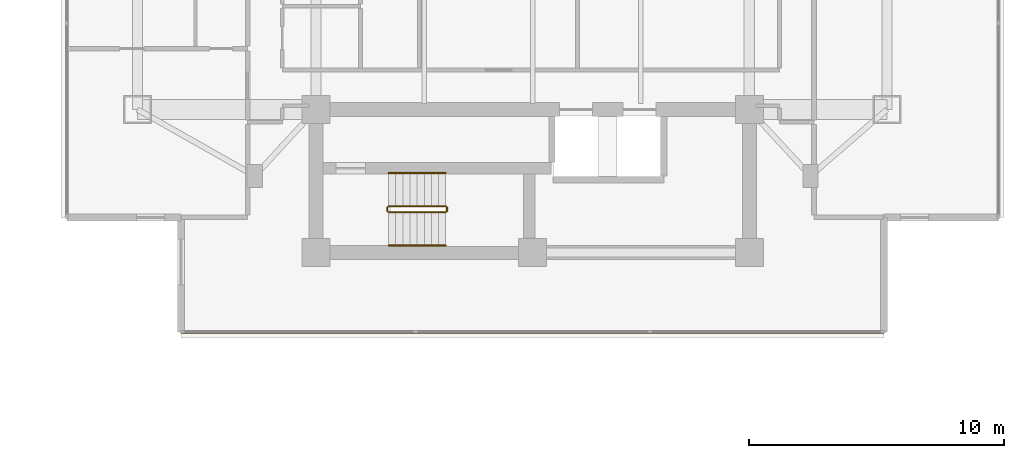
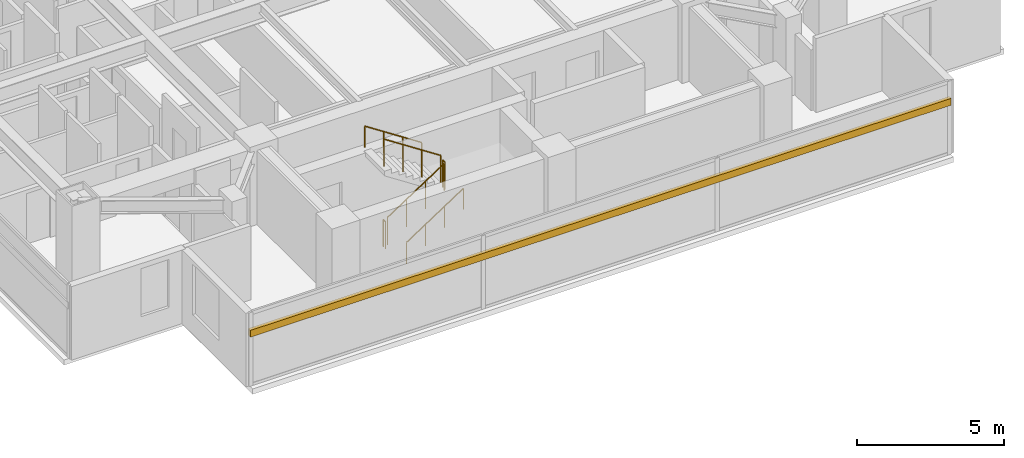
# One storey, part 22 of 24: 6 railings, 1 shading device.
"""IFC4 building model written with IfcOpenShell, lengths in metres."""

from ifc_helpers import new_model, si_unit, direction, frame, origin, origin_2d, place, context, subcontext, project, spatial, rectangle, circle, extrude, material, material_profile, profile_set, type_object, element, save


model = new_model("IFC4")

# Units and contexts
model_context = context("Model", 3, precision=1e-05, world=origin(), true_north=direction((0.0, 1.0)))
body_context = subcontext(model_context, "Body", "Model", "MODEL_VIEW")
ifc_project = project(units=[si_unit("LENGTHUNIT", "METRE"), si_unit("AREAUNIT", "SQUARE_METRE"), si_unit("VOLUMEUNIT", "CUBIC_METRE"), si_unit("PLANEANGLEUNIT", "RADIAN"), si_unit("MASSUNIT", "GRAM", prefix="KILO")], contexts=[model_context])

# Site, building, storey
site_placement = place(None, origin())
site = spatial("IfcSite", under=ifc_project, at=site_placement, CompositionType="ELEMENT")
building_placement = place(site_placement, origin())
building = spatial("IfcBuilding", under=site, at=building_placement, Name="Mirazonda Arch Towers", CompositionType="ELEMENT")
storey_placement = place(building_placement, frame((0.0, 0.0, 137.89990234375)))
storey = spatial("IfcBuildingStorey", under=building, at=storey_placement, Name="L39", CompositionType="ELEMENT", Elevation=137.89990234375)

# Shading device
ifc_material_1 = material(Name="Kiln-Fired Architectural Terracotta", Category="masonry")
ifc_material_profile = material_profile(ifc_material_1, rectangle(XDim=0.139892578125, YDim=0.280029296875, at=origin_2d()), Name="TERRA-BAG-140x280")
ifc_profile_set = profile_set([ifc_material_profile], Name="Kiln-Fired Architectural Terracotta")
shading_device_type = type_object("IfcShadingDeviceType", Name="BAGUETTE-3", PredefinedType="USERDEFINED", material=ifc_profile_set)
shading_device_placement = place(storey_placement, frame((90.28662109375, 12.081298828125, 2.203369140625), z_axis=(-1.0, 0.0, 0.0), x_axis=(0.0, -1.0, 0.0)))
element("IfcShadingDevice", 1, at=shading_device_placement, inside=storey, type_object=shading_device_type, Name="L39 Glazed Terracotta Sun-Screen Baguette CW-L39-T2-S", ObjectType="BAGUETTE", PredefinedType="USERDEFINED", context=body_context, shape_type="SweptSolid", body=[
    extrude(rectangle(XDim=0.139892578125, YDim=0.280029296875, at=origin_2d()), origin(), (0.0, 0.0, 1.0), 27.5732421875),
])

# Railings
ifc_material_2 = material(Name="Architectural Brushed Steel S355", Category="steel")
railing_type_1 = type_object("IfcRailingType", Name="GUARD-STAIR-1120", PredefinedType="GUARDRAIL", material=ifc_material_2)
railing_1_placement = place(storey_placement, frame((70.85009765625, 16.77001953125, 0.183349609375)))
element("IfcRailing", 2, at=railing_1_placement, inside=storey, type_object=railing_type_1, Name="L39 ST-T2S stair guard 1", PredefinedType="GUARDRAIL", context=body_context, shape_type="SweptSolid", body=[
    extrude(circle(Radius=0.02392578125, at=origin_2d()), frame((0.0, 0.0, 1.1259765625), z_axis=(0.836595146698, 0.0, 0.547821650285), x_axis=(0.0, 1.0, 0.0)), (0.0, 0.0, 1.0), 2.677490234375),
    extrude(circle(Radius=0.02099609375, at=origin_2d()), origin(), (0.0, 0.0, 1.0), 1.101806640625),
    extrude(circle(Radius=0.02099609375, at=origin_2d()), frame((0.74658203125, 0.0, 0.489013671875)), (0.0, 0.0, 1.0), 1.101806640625),
    extrude(circle(Radius=0.02099609375, at=origin_2d()), frame((1.493408203125, 0.0, 0.977783203125)), (0.0, 0.0, 1.0), 1.101806640625),
    extrude(circle(Radius=0.02099609375, at=origin_2d()), frame((2.239990234375, 0.0, 1.466796875)), (0.0, 0.0, 1.0), 1.101806640625),
])
railing_2_placement = place(storey_placement, frame((73.139892578125, 16.820068359375, 1.650146484375)))
element("IfcRailing", 3, at=railing_2_placement, inside=storey, type_object=railing_type_1, Name="L39 ST-T2S stair guard 2", PredefinedType="GUARDRAIL", context=body_context, shape_type="SweptSolid", body=[
    extrude(circle(Radius=0.02392578125, at=origin_2d()), frame((0.0, 0.0, 1.1259765625), z_axis=(0.0, 1.0, 0.0), x_axis=(-1.0, 0.0, 0.0)), (0.0, 0.0, 1.0), 0.139892578125),
    extrude(circle(Radius=0.02099609375, at=origin_2d()), origin(), (0.0, 0.0, 1.0), 1.101806640625),
    extrude(circle(Radius=0.02099609375, at=origin_2d()), frame((0.0, 0.139892578125, 0.0)), (0.0, 0.0, 1.0), 1.101806640625),
])
railing_3_placement = place(storey_placement, frame((73.090087890625, 17.010009765625, 1.83349609375)))
element("IfcRailing", 4, at=railing_3_placement, inside=storey, type_object=railing_type_1, Name="L39 ST-T2S stair guard 3", PredefinedType="GUARDRAIL", context=body_context, shape_type="SweptSolid", body=[
    extrude(circle(Radius=0.02392578125, at=origin_2d()), frame((0.0, 0.0, 1.1259765625), z_axis=(-0.836636935527, 0.0, 0.547757827979), x_axis=(0.0, -1.0, 0.0)), (0.0, 0.0, 1.0), 2.677490234375),
    extrude(circle(Radius=0.02099609375, at=origin_2d()), origin(), (0.0, 0.0, 1.0), 1.101806640625),
    extrude(circle(Radius=0.02099609375, at=origin_2d()), frame((-0.74658203125, 0.0, 0.48876953125)), (0.0, 0.0, 1.0), 1.101806640625),
    extrude(circle(Radius=0.02099609375, at=origin_2d()), frame((-1.493408203125, 0.0, 0.977783203125)), (0.0, 0.0, 1.0), 1.101806640625),
    extrude(circle(Radius=0.02099609375, at=origin_2d()), frame((-2.239990234375, 0.0, 1.466552734375)), (0.0, 0.0, 1.0), 1.101806640625),
])
railing_4_placement = place(storey_placement, frame((70.800048828125, 16.820068359375, 0.0)))
element("IfcRailing", 5, at=railing_4_placement, inside=storey, type_object=railing_type_1, Name="L39 ST-T2S stair guard 4", PredefinedType="GUARDRAIL", context=body_context, shape_type="SweptSolid", body=[
    extrude(circle(Radius=0.02392578125, at=origin_2d()), frame((0.0, 0.0, 1.1259765625), z_axis=(0.0, 1.0, 0.0), x_axis=(-1.0, 0.0, 0.0)), (0.0, 0.0, 1.0), 0.139892578125),
    extrude(circle(Radius=0.02099609375, at=origin_2d()), origin(), (0.0, 0.0, 1.0), 1.101806640625),
    extrude(circle(Radius=0.02099609375, at=origin_2d()), frame((0.0, 0.139892578125, 0.0)), (0.0, 0.0, 1.0), 1.101806640625),
])
railing_type_2 = type_object("IfcRailingType", Name="HANDRAIL-915", PredefinedType="HANDRAIL", material=ifc_material_2)
railing_5_placement = place(storey_placement, frame((70.85009765625, 15.469970703125, 0.183349609375)))
element("IfcRailing", 6, at=railing_5_placement, inside=storey, type_object=railing_type_2, Name="L39 ST-T2S stair handrail 1", PredefinedType="HANDRAIL", context=body_context, shape_type="SweptSolid", body=[
    extrude(circle(Radius=0.02392578125, at=origin_2d()), frame((0.0, 0.0, 0.8759765625), z_axis=(0.836595146698, 0.0, 0.547821650285), x_axis=(0.0, 1.0, 0.0)), (0.0, 0.0, 1.0), 2.677490234375),
    extrude(circle(Radius=0.02099609375, at=origin_2d()), origin(), (0.0, 0.0, 1.0), 0.851806640625),
    extrude(circle(Radius=0.02099609375, at=origin_2d()), frame((0.74658203125, 0.0, 0.489013671875)), (0.0, 0.0, 1.0), 0.851806640625),
    extrude(circle(Radius=0.02099609375, at=origin_2d()), frame((1.493408203125, 0.0, 0.977783203125)), (0.0, 0.0, 1.0), 0.851806640625),
    extrude(circle(Radius=0.02099609375, at=origin_2d()), frame((2.239990234375, 0.0, 1.466796875)), (0.0, 0.0, 1.0), 0.851806640625),
])
railing_6_placement = place(storey_placement, frame((73.090087890625, 18.31005859375, 1.83349609375)))
element("IfcRailing", 7, at=railing_6_placement, inside=storey, type_object=railing_type_2, Name="L39 ST-T2S stair handrail 2", PredefinedType="HANDRAIL", context=body_context, shape_type="SweptSolid", body=[
    extrude(circle(Radius=0.02392578125, at=origin_2d()), frame((0.0, 0.0, 0.8759765625), z_axis=(-0.836636935527, 0.0, 0.547757827979), x_axis=(0.0, -1.0, 0.0)), (0.0, 0.0, 1.0), 2.677490234375),
    extrude(circle(Radius=0.02099609375, at=origin_2d()), origin(), (0.0, 0.0, 1.0), 0.851806640625),
    extrude(circle(Radius=0.02099609375, at=origin_2d()), frame((-0.74658203125, 0.0, 0.48876953125)), (0.0, 0.0, 1.0), 0.851806640625),
    extrude(circle(Radius=0.02099609375, at=origin_2d()), frame((-1.493408203125, 0.0, 0.977783203125)), (0.0, 0.0, 1.0), 0.851806640625),
    extrude(circle(Radius=0.02099609375, at=origin_2d()), frame((-2.239990234375, 0.0, 1.466552734375)), (0.0, 0.0, 1.0), 0.851806640625),
])

save(model, "model.ifc")
